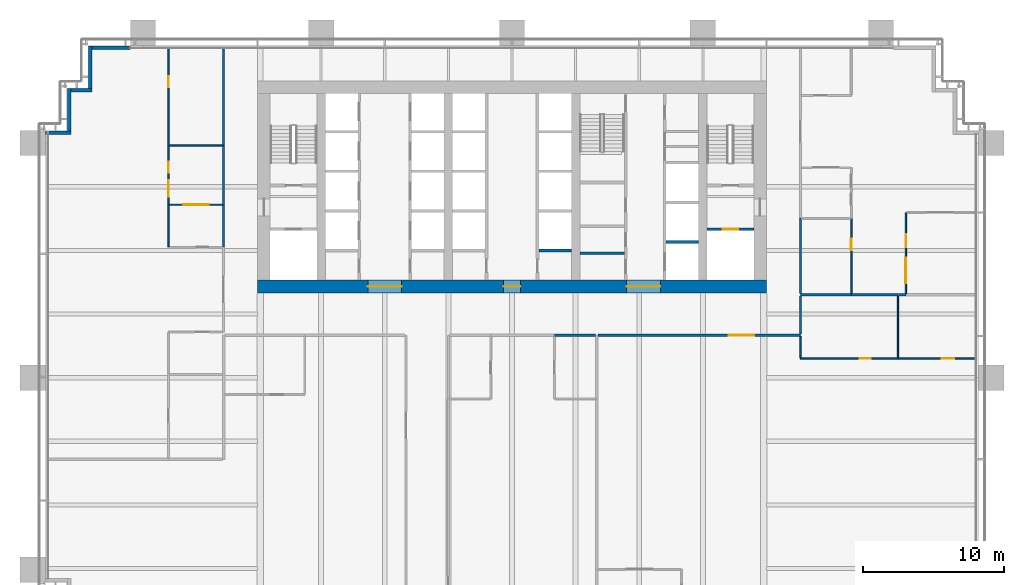
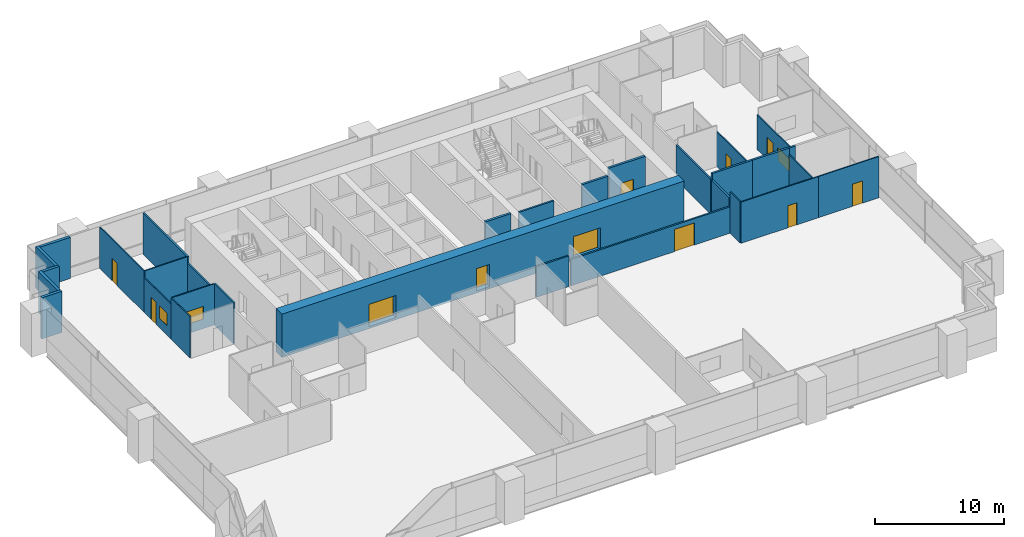
# One storey, part 12 of 19: 31 walls, 11 doors, 3 windows, 14 openings.
"""IFC4 building model written with IfcOpenShell, lengths in metres."""

from ifc_helpers import new_model, si_unit, direction, frame, frame_2d, origin, place, context, subcontext, project, spatial, rectangle, extrude, material, layer, layer_set, type_object, element, fill, save


model = new_model("IFC4")

# Units and contexts
model_context = context("Model", 3, precision=1e-05, world=origin(), true_north=direction((0.0, 1.0)))
body_context = subcontext(model_context, "Body", "Model", "MODEL_VIEW")
ifc_project = project(units=[si_unit("LENGTHUNIT", "METRE"), si_unit("AREAUNIT", "SQUARE_METRE"), si_unit("VOLUMEUNIT", "CUBIC_METRE"), si_unit("PLANEANGLEUNIT", "RADIAN"), si_unit("MASSUNIT", "GRAM", prefix="KILO")], contexts=[model_context])

# Site, building, storey
site_placement = place(None, origin())
site = spatial("IfcSite", under=ifc_project, at=site_placement, CompositionType="ELEMENT")
building_placement = place(site_placement, origin())
building = spatial("IfcBuilding", under=site, at=building_placement, Name="Rattan Terrace Tower", CompositionType="ELEMENT")
storey_placement = place(building_placement, frame((0.0, 0.0, 52.89990234375)))
storey = spatial("IfcBuildingStorey", under=building, at=storey_placement, Name="L11", CompositionType="ELEMENT", Elevation=52.89990234375)

# Wall
ifc_material_1 = material(Name="Gypsum board partition")
ifc_layer_1 = layer(ifc_material_1, 0.14990234375)
ifc_layer_set_1 = layer_set([ifc_layer_1], Name="Core partition 150")
wall_type_1 = type_object("IfcWallType", Name="Core partition 150", PredefinedType="PARTITIONING", material=ifc_layer_set_1)
wall_1_placement = place(storey_placement, frame((4.800048828125, -4.696044921875, 0.0), z_axis=(0.0, 0.0, 1.0), x_axis=(1.0, 0.0, 0.0)))
element("IfcWall", 1, at=wall_1_placement, inside=storey, type_object=wall_type_1, Name="Toilet wall", PredefinedType="PARTITIONING", context=body_context, shape_type="SweptSolid", body=[
    extrude(rectangle(XDim=3.14990234375, YDim=0.14990234375, at=frame_2d((1.574951171875, 0.0))), origin(), (0.0, 0.0, 1.0), 3.900146484375),
])

# Wall, opening, door
ifc_material_2 = material(Name="Gypsum board partition")
ifc_layer_2 = layer(ifc_material_2, 0.199951171875)
ifc_layer_set_2 = layer_set([ifc_layer_2], Name="Core partition 200")
wall_type_2 = type_object("IfcWallType", Name="Core partition 200", PredefinedType="PARTITIONING", material=ifc_layer_set_2)
wall_2_placement = place(storey_placement, frame((13.800048828125, -3.0, 0.0), z_axis=(0.0, 0.0, 1.0), x_axis=(1.0, 0.0, 0.0)))
wall_2 = element("IfcWall", 2, at=wall_2_placement, inside=storey, type_object=wall_type_2, Name="Fire-fighting lobby wall", PredefinedType="PARTITIONING", context=body_context, shape_type="SweptSolid", body=[
    extrude(rectangle(XDim=3.300048828125, YDim=0.199951171875, at=frame_2d((1.64990234375, 0.0))), origin(), (0.0, 0.0, 1.0), 3.900146484375),
])
opening_1_placement = place(wall_2_placement, frame((1.10009765625, 0.0, 0.0)))
opening_1 = element("IfcOpeningElement", 3, at=opening_1_placement, cuts=wall_2, Name="Opening L11-LD-FF2", PredefinedType="OPENING", context=body_context, shape_type="SweptSolid", body=[
    extrude(rectangle(XDim=1.10009765625, YDim=2.10009765625, at=frame_2d((0.550048828125, 1.050048828125))), frame((0.0, 0.110595703125, 0.0), z_axis=(0.0, -1.0, 0.0), x_axis=(1.0, 0.0, 0.0)), (0.0, 0.0, 1.0), 0.220947265625),
])
ifc_material_3 = material(Name="Brushed stainless landing door panel")
door_type_1 = type_object("IfcDoorType", Name="Core lift landing door 1100", OperationType="DOUBLE_DOOR_SLIDING", PredefinedType="DOOR", material=ifc_material_3)
door_1_placement = place(opening_1_placement, origin())
door_1 = element("IfcDoor", 4, at=door_1_placement, inside=storey, type_object=door_type_1, Name="Door L11-LD-FF2", OperationType="DOUBLE_DOOR_SLIDING", OverallHeight=2.10009765625, OverallWidth=1.10009765625, PredefinedType="DOOR", context=body_context, shape_type="SweptSolid", body=[
    extrude(rectangle(XDim=1.10009765625, YDim=2.10009765625, at=frame_2d((0.550048828125, 1.050048828125))), frame((0.0, 0.02490234375, 0.0), z_axis=(0.0, -1.0, 0.0), x_axis=(1.0, 0.0, 0.0)), (0.0, 0.0, 1.0), 0.050048828125),
])
fill(opening_1, door_1)

# Wall, openings, doors
ifc_material_4 = material(Name="Concrete C70/85", Category="concrete")
ifc_layer_3 = layer(ifc_material_4, 0.89990234375)
ifc_layer_set_3 = layer_set([ifc_layer_3], Name="Core ring wall 900 C70/85")
wall_type_3 = type_object("IfcWallType", Name="Core ring wall 900 C70/85", PredefinedType="SHEAR", material=ifc_layer_set_3)
wall_3_placement = place(storey_placement, frame((-18.0, -7.050048828125, -0.199951171875), z_axis=(0.0, 0.0, 1.0), x_axis=(1.0, 0.0, 0.0)))
wall_3 = element("IfcWall", 5, at=wall_3_placement, inside=storey, type_object=wall_type_3, Name="Rear core wall south", PredefinedType="SHEAR", context=body_context, shape_type="SweptSolid", body=[
    extrude(rectangle(XDim=36.0, YDim=0.89990234375, at=frame_2d((18.0, 0.0))), origin(), (0.0, 0.0, 1.0), 4.10009765625),
])
opening_2_placement = place(wall_3_placement, frame((7.800048828125, 0.0, 0.199951171875)))
opening_2 = element("IfcOpeningElement", 6, at=opening_2_placement, cuts=wall_3, Name="Opening L11-D007", PredefinedType="OPENING", context=body_context, shape_type="SweptSolid", body=[
    extrude(rectangle(XDim=2.39990234375, YDim=2.10009765625, at=frame_2d((1.199951171875, 1.050048828125))), frame((0.0, 0.46044921875, 0.0), z_axis=(0.0, -1.0, 0.0), x_axis=(1.0, 0.0, 0.0)), (0.0, 0.0, 1.0), 0.9208984375),
])
opening_3_placement = place(wall_3_placement, frame((17.39990234375, 0.0, 0.199951171875)))
opening_3 = element("IfcOpeningElement", 7, at=opening_3_placement, cuts=wall_3, Name="Opening L11-D010", PredefinedType="OPENING", context=body_context, shape_type="SweptSolid", body=[
    extrude(rectangle(XDim=1.199951171875, YDim=2.10009765625, at=frame_2d((0.60009765625, 1.050048828125))), frame((0.0, 0.46044921875, 0.0), z_axis=(0.0, -1.0, 0.0), x_axis=(1.0, 0.0, 0.0)), (0.0, 0.0, 1.0), 0.9208984375),
])
opening_4_placement = place(wall_3_placement, frame((26.10009765625, 0.0, 0.199951171875)))
opening_4 = element("IfcOpeningElement", 8, at=opening_4_placement, cuts=wall_3, Name="Opening L11-D015", PredefinedType="OPENING", context=body_context, shape_type="SweptSolid", body=[
    extrude(rectangle(XDim=2.39990234375, YDim=2.10009765625, at=frame_2d((1.199951171875, 1.050048828125))), frame((0.0, 0.46044921875, 0.0), z_axis=(0.0, -1.0, 0.0), x_axis=(1.0, 0.0, 0.0)), (0.0, 0.0, 1.0), 0.9208984375),
])
ifc_material_5 = material(Name="Hollow-metal fire door leaf")
door_type_2 = type_object("IfcDoorType", Name="Core lift lobby door 2400", OperationType="NOTDEFINED", PredefinedType="DOOR", material=ifc_material_5)
door_2_placement = place(opening_2_placement, origin())
door_2 = element("IfcDoor", 9, at=door_2_placement, inside=storey, type_object=door_type_2, Name="Door L11-D007", OperationType="DOUBLE_DOOR_DOUBLE_SWING", OverallHeight=2.10009765625, OverallWidth=2.39990234375, PredefinedType="DOOR", context=body_context, shape_type="SweptSolid", body=[
    extrude(rectangle(XDim=2.39990234375, YDim=2.10009765625, at=frame_2d((1.199951171875, 1.050048828125))), frame((0.0, 0.02490234375, 0.0), z_axis=(0.0, -1.0, 0.0), x_axis=(1.0, 0.0, 0.0)), (0.0, 0.0, 1.0), 0.050048828125),
])
fill(opening_2, door_2)
door_3_placement = place(opening_4_placement, origin())
door_3 = element("IfcDoor", 10, at=door_3_placement, inside=storey, type_object=door_type_2, Name="Door L11-D015", OperationType="DOUBLE_DOOR_DOUBLE_SWING", OverallHeight=2.10009765625, OverallWidth=2.39990234375, PredefinedType="DOOR", context=body_context, shape_type="SweptSolid", body=[
    extrude(rectangle(XDim=2.39990234375, YDim=2.10009765625, at=frame_2d((1.199951171875, 1.050048828125))), frame((0.0, 0.02490234375, 0.0), z_axis=(0.0, -1.0, 0.0), x_axis=(1.0, 0.0, 0.0)), (0.0, 0.0, 1.0), 0.050048828125),
])
fill(opening_4, door_3)
ifc_material_6 = material(Name="Hollow-metal fire door leaf")
door_type_3 = type_object("IfcDoorType", Name="Core riser door 1200", OperationType="NOTDEFINED", PredefinedType="DOOR", material=ifc_material_6)
door_4_placement = place(opening_3_placement, origin())
door_4 = element("IfcDoor", 11, at=door_4_placement, inside=storey, type_object=door_type_3, Name="Door L11-D010", OperationType="SINGLE_SWING_LEFT", OverallHeight=2.10009765625, OverallWidth=1.199951171875, PredefinedType="DOOR", context=body_context, shape_type="SweptSolid", body=[
    extrude(rectangle(XDim=1.199951171875, YDim=2.10009765625, at=frame_2d((0.60009765625, 1.050048828125))), frame((0.0, 0.02490234375, 0.0), z_axis=(0.0, -1.0, 0.0), x_axis=(1.0, 0.0, 0.0)), (0.0, 0.0, 1.0), 0.050048828125),
])
fill(opening_3, door_4)

# Walls
ifc_material_7 = material(Name="Insulated aluminium-clad stud wall", Category="aluminium")
ifc_layer_4 = layer(ifc_material_7, 0.25)
ifc_layer_set_4 = layer_set([ifc_layer_4], Name="Facade Riser Wall 250")
wall_type_4 = type_object("IfcWallType", Name="Facade Riser Wall 250", PredefinedType="SOLIDWALL", material=ifc_layer_set_4)
wall_4_placement = place(storey_placement, frame((-27.0, 9.830078125, 0.0), z_axis=(0.0, 0.0, 1.0), x_axis=(-1.0, 0.0, 0.0)))
element("IfcWall", 12, at=wall_4_placement, inside=storey, type_object=wall_type_4, Name="Riser wall L11-11", PredefinedType="SOLIDWALL", context=body_context, shape_type="SweptSolid", body=[
    extrude(rectangle(XDim=2.705078125, YDim=0.25, at=frame_2d((1.3525390625, 0.0))), origin(), (0.0, 0.0, 1.0), 3.900146484375),
])
wall_5_placement = place(storey_placement, frame((-29.830078125, 9.955078125, 0.0), z_axis=(0.0, 0.0, 1.0), x_axis=(0.0, -1.0, 0.0)))
element("IfcWall", 13, at=wall_5_placement, inside=storey, type_object=wall_type_4, Name="Riser wall L11-12", PredefinedType="SOLIDWALL", context=body_context, shape_type="SweptSolid", body=[
    extrude(rectangle(XDim=3.0, YDim=0.25, at=frame_2d((1.5, 0.0))), origin(), (0.0, 0.0, 1.0), 3.900146484375),
])
wall_6_placement = place(storey_placement, frame((-29.705078125, 6.830078125, 0.0), z_axis=(0.0, 0.0, 1.0), x_axis=(-1.0, 0.0, 0.0)))
element("IfcWall", 14, at=wall_6_placement, inside=storey, type_object=wall_type_4, Name="Riser wall L11-13", PredefinedType="SOLIDWALL", context=body_context, shape_type="SweptSolid", body=[
    extrude(rectangle(XDim=1.5, YDim=0.25, at=frame_2d((0.75, 0.0))), origin(), (0.0, 0.0, 1.0), 3.900146484375),
])
wall_7_placement = place(storey_placement, frame((-31.330078125, 6.955078125, 0.0), z_axis=(0.0, 0.0, 1.0), x_axis=(0.0, -1.0, 0.0)))
element("IfcWall", 15, at=wall_7_placement, inside=storey, type_object=wall_type_4, Name="Riser wall L11-14", PredefinedType="SOLIDWALL", context=body_context, shape_type="SweptSolid", body=[
    extrude(rectangle(XDim=3.0, YDim=0.25, at=frame_2d((1.5, 0.0))), origin(), (0.0, 0.0, 1.0), 3.900146484375),
])
wall_8_placement = place(storey_placement, frame((-31.205078125, 3.830078125, 0.0), z_axis=(0.0, 0.0, 1.0), x_axis=(-1.0, 0.0, 0.0)))
element("IfcWall", 16, at=wall_8_placement, inside=storey, type_object=wall_type_4, Name="Riser wall L11-15", PredefinedType="SOLIDWALL", context=body_context, shape_type="SweptSolid", body=[
    extrude(rectangle(XDim=1.7998046875, YDim=0.25, at=frame_2d((0.89990234375, 0.0))), origin(), (0.0, 0.0, 1.0), 3.900146484375),
])
ifc_material_8 = material(Name="Double steel stud acoustic partition, gypsum board, mineral wool, fire rated", Category="steel")
ifc_layer_5 = layer(ifc_material_8, 0.179931640625)
ifc_layer_set_5 = layer_set([ifc_layer_5], Name="Floors Acoustic Party Wall 180")
wall_type_5 = type_object("IfcWallType", Name="Floors Acoustic Party Wall 180", PredefinedType="PARTITIONING", material=ifc_layer_set_5)
wall_9_placement = place(storey_placement, frame((27.320068359375, -7.635986328125, 0.0), z_axis=(0.0, 0.0, 1.0), x_axis=(-1.0, 0.0, 0.0)))
element("IfcWall", 17, at=wall_9_placement, inside=storey, type_object=wall_type_5, Name="pt-L11-041", PredefinedType="PARTITIONING", context=body_context, shape_type="SweptSolid", body=[
    extrude(rectangle(XDim=3.320068359375, YDim=0.179931640625, at=frame_2d((1.66015625, 0.0))), origin(), (0.0, 0.0, 1.0), 3.900146484375),
])
wall_10_placement = place(storey_placement, frame((27.860107421875, -7.635986328125, 0.0), z_axis=(0.0, 0.0, 1.0), x_axis=(-1.0, 0.0, 0.0)))
element("IfcWall", 18, at=wall_10_placement, inside=storey, type_object=wall_type_5, Name="pt-L11-042", PredefinedType="PARTITIONING", context=body_context, shape_type="SweptSolid", body=[
    extrude(rectangle(XDim=0.5400390625, YDim=0.179931640625, at=frame_2d((0.27001953125, 0.0))), origin(), (0.0, 0.0, 1.0), 3.900146484375),
])
wall_11_placement = place(storey_placement, frame((24.0, -7.635986328125, 0.0), z_axis=(0.0, 0.0, 1.0), x_axis=(-1.0, 0.0, 0.0)))
element("IfcWall", 19, at=wall_11_placement, inside=storey, type_object=wall_type_5, Name="pt-L11-045", PredefinedType="PARTITIONING", context=body_context, shape_type="SweptSolid", body=[
    extrude(rectangle(XDim=3.60009765625, YDim=0.179931640625, at=frame_2d((1.800048828125, 0.0))), origin(), (0.0, 0.0, 1.0), 3.900146484375),
])
ifc_material_9 = material(Name="Gypsum board partition on steel studs", Category="steel")
ifc_layer_6 = layer(ifc_material_9, 0.10009765625)
ifc_layer_set_6 = layer_set([ifc_layer_6], Name="Floors Partition 100")
wall_type_6 = type_object("IfcWallType", Name="Floors Partition 100", PredefinedType="PARTITIONING", material=ifc_layer_set_6)
wall_12_placement = place(storey_placement, frame((-24.300048828125, -1.29296875, 0.0), z_axis=(0.0, 0.0, 1.0), x_axis=(0.0, -1.0, 0.0)))
element("IfcWall", 20, at=wall_12_placement, inside=storey, type_object=wall_type_6, Name="pt-L11-022", PredefinedType="PARTITIONING", context=body_context, shape_type="SweptSolid", body=[
    extrude(rectangle(XDim=2.929931640625, YDim=0.10009765625, at=frame_2d((1.46484375, 0.0))), origin(), (0.0, 0.0, 1.0), 3.900146484375),
])

# Wall, openings, door, window
wall_13_placement = place(storey_placement, frame((-24.300048828125, 2.906982421875, 0.0), z_axis=(0.0, 0.0, 1.0), x_axis=(0.0, -1.0, 0.0)))
wall_13 = element("IfcWall", 21, at=wall_13_placement, inside=storey, type_object=wall_type_6, Name="pt-L11-024", PredefinedType="PARTITIONING", context=body_context, shape_type="SweptSolid", body=[
    extrude(rectangle(XDim=4.199951171875, YDim=0.10009765625, at=frame_2d((2.10009765625, 0.0))), origin(), (0.0, 0.0, 1.0), 3.300048828125),
])
opening_5_placement = place(wall_13_placement, frame((1.1201171875, 0.0, 0.0)))
opening_5 = element("IfcOpeningElement", 22, at=opening_5_placement, cuts=wall_13, Name="Opening L11-D104", PredefinedType="OPENING", context=body_context, shape_type="SweptSolid", body=[
    extrude(rectangle(XDim=0.800048828125, YDim=2.10009765625, at=frame_2d((0.39990234375, 1.050048828125))), frame((0.0, 0.060546875, 0.0), z_axis=(0.0, -1.0, 0.0), x_axis=(1.0, 0.0, 0.0)), (0.0, 0.0, 1.0), 0.12109375),
])
opening_6_placement = place(wall_13_placement, frame((2.425048828125, 0.0, 0.89990234375)))
opening_6 = element("IfcOpeningElement", 23, at=opening_6_placement, cuts=wall_13, Name="Opening L11-W100", PredefinedType="OPENING", context=body_context, shape_type="SweptSolid", body=[
    extrude(rectangle(XDim=1.199951171875, YDim=1.199951171875, at=frame_2d((0.60009765625, 0.60009765625))), frame((0.0, 0.060546875, 0.0), z_axis=(0.0, -1.0, 0.0), x_axis=(1.0, 0.0, 0.0)), (0.0, 0.0, 1.0), 0.12109375),
])
ifc_material_10 = material(Name="Solid core timber door, painted", Category="wood")
door_type_4 = type_object("IfcDoorType", Name="Floors Store Door 800x2100", OperationType="NOTDEFINED", PredefinedType="DOOR", material=ifc_material_10)
door_5_placement = place(opening_5_placement, origin())
door_5 = element("IfcDoor", 24, at=door_5_placement, inside=storey, type_object=door_type_4, Name="d-L11-104", OperationType="SINGLE_SWING_LEFT", OverallHeight=2.10009765625, OverallWidth=0.800048828125, PredefinedType="DOOR", context=body_context, shape_type="SweptSolid", body=[
    extrude(rectangle(XDim=0.800048828125, YDim=2.10009765625, at=frame_2d((0.39990234375, 1.050048828125))), frame((0.0, 0.02490234375, 0.0), z_axis=(0.0, -1.0, 0.0), x_axis=(1.0, 0.0, 0.0)), (0.0, 0.0, 1.0), 0.050048828125),
])
fill(opening_5, door_5)
ifc_material_11 = material(Name="Glass, clear, fixed in aluminium frame", Category="aluminium")
window_type_1 = type_object("IfcWindowType", Name="Interior Vision Window 1200x1200", PartitioningType="SINGLE_PANEL", PredefinedType="WINDOW", material=ifc_material_11)
window_1_placement = place(opening_6_placement, origin())
window_1 = element("IfcWindow", 25, at=window_1_placement, inside=storey, type_object=window_type_1, Name="w-L11-100", OverallHeight=1.199951171875, OverallWidth=1.199951171875, PartitioningType="SINGLE_PANEL", PredefinedType="WINDOW", context=body_context, shape_type="SweptSolid", body=[
    extrude(rectangle(XDim=1.199951171875, YDim=1.199951171875, at=frame_2d((0.60009765625, 0.60009765625))), frame((0.0, 0.030029296875, 0.0), z_axis=(0.0, -1.0, 0.0), x_axis=(1.0, 0.0, 0.0)), (0.0, 0.0, 1.0), 0.06005859375),
])
fill(opening_6, window_1)

# Wall, opening, door
wall_14_placement = place(storey_placement, frame((-24.300048828125, 9.739990234375, 0.0), z_axis=(0.0, 0.0, 1.0), x_axis=(0.0, -1.0, 0.0)))
wall_14 = element("IfcWall", 26, at=wall_14_placement, inside=storey, type_object=wall_type_6, Name="pt-L11-025", PredefinedType="PARTITIONING", context=body_context, shape_type="SweptSolid", body=[
    extrude(rectangle(XDim=6.8330078125, YDim=0.10009765625, at=frame_2d((3.41650390625, 0.0))), origin(), (0.0, 0.0, 1.0), 3.900146484375),
])
opening_7_placement = place(wall_14_placement, frame((1.909912109375, 0.0, 0.0)))
opening_7 = element("IfcOpeningElement", 27, at=opening_7_placement, cuts=wall_14, Name="Opening L11-D105", PredefinedType="OPENING", context=body_context, shape_type="SweptSolid", body=[
    extrude(rectangle(XDim=0.800048828125, YDim=2.10009765625, at=frame_2d((0.39990234375, 1.050048828125))), frame((0.0, 0.060546875, 0.0), z_axis=(0.0, -1.0, 0.0), x_axis=(1.0, 0.0, 0.0)), (0.0, 0.0, 1.0), 0.12109375),
])
door_6_placement = place(opening_7_placement, origin())
door_6 = element("IfcDoor", 28, at=door_6_placement, inside=storey, type_object=door_type_4, Name="d-L11-105", OperationType="SINGLE_SWING_LEFT", OverallHeight=2.10009765625, OverallWidth=0.800048828125, PredefinedType="DOOR", context=body_context, shape_type="SweptSolid", body=[
    extrude(rectangle(XDim=0.800048828125, YDim=2.10009765625, at=frame_2d((0.39990234375, 1.050048828125))), frame((0.0, 0.02490234375, 0.0), z_axis=(0.0, -1.0, 0.0), x_axis=(1.0, 0.0, 0.0)), (0.0, 0.0, 1.0), 0.050048828125),
])
fill(opening_7, door_6)

# Wall, opening, window
wall_15_placement = place(storey_placement, frame((-24.25, -1.27294921875, 0.0), z_axis=(0.0, 0.0, 1.0), x_axis=(1.0, 0.0, 0.0)))
wall_15 = element("IfcWall", 29, at=wall_15_placement, inside=storey, type_object=wall_type_6, Name="pt-L11-032", PredefinedType="PARTITIONING", context=body_context, shape_type="SweptSolid", body=[
    extrude(rectangle(XDim=3.77490234375, YDim=0.10009765625, at=frame_2d((1.887451171875, 0.0))), origin(), (0.0, 0.0, 1.0), 3.900146484375),
])
opening_8_placement = place(wall_15_placement, frame((0.987060546875, 0.0, 0.89990234375)))
opening_8 = element("IfcOpeningElement", 30, at=opening_8_placement, cuts=wall_15, Name="Opening L11-W101", PredefinedType="OPENING", context=body_context, shape_type="SweptSolid", body=[
    extrude(rectangle(XDim=1.800048828125, YDim=1.199951171875, at=frame_2d((0.89990234375, 0.60009765625))), frame((0.0, 0.060546875, 0.0), z_axis=(0.0, -1.0, 0.0), x_axis=(1.0, 0.0, 0.0)), (0.0, 0.0, 1.0), 0.12109375),
])
ifc_material_12 = material(Name="Glass, clear, fixed in aluminium frame", Category="aluminium")
window_type_2 = type_object("IfcWindowType", Name="Interior Vision Window 1800x1200", PartitioningType="SINGLE_PANEL", PredefinedType="WINDOW", material=ifc_material_12)
window_2_placement = place(opening_8_placement, origin())
window_2 = element("IfcWindow", 31, at=window_2_placement, inside=storey, type_object=window_type_2, Name="w-L11-101", OverallHeight=1.199951171875, OverallWidth=1.800048828125, PartitioningType="SINGLE_PANEL", PredefinedType="WINDOW", context=body_context, shape_type="SweptSolid", body=[
    extrude(rectangle(XDim=1.800048828125, YDim=1.199951171875, at=frame_2d((0.89990234375, 0.60009765625))), frame((0.0, 0.030029296875, 0.0), z_axis=(0.0, -1.0, 0.0), x_axis=(1.0, 0.0, 0.0)), (0.0, 0.0, 1.0), 0.06005859375),
])
fill(opening_8, window_2)

# Wall
wall_16_placement = place(storey_placement, frame((-24.25, 2.927001953125, 0.0), z_axis=(0.0, 0.0, 1.0), x_axis=(1.0, 0.0, 0.0)))
element("IfcWall", 32, at=wall_16_placement, inside=storey, type_object=wall_type_6, Name="pt-L11-033", PredefinedType="PARTITIONING", context=body_context, shape_type="SweptSolid", body=[
    extrude(rectangle(XDim=3.77490234375, YDim=0.10009765625, at=frame_2d((1.887451171875, 0.0))), origin(), (0.0, 0.0, 1.0), 3.900146484375),
])

# Wall, openings, door, window
wall_17_placement = place(storey_placement, frame((27.860107421875, -1.818115234375, 0.0), z_axis=(0.0, 0.0, 1.0), x_axis=(0.0, -1.0, 0.0)))
wall_17 = element("IfcWall", 33, at=wall_17_placement, inside=storey, type_object=wall_type_6, Name="pt-L11-034", PredefinedType="PARTITIONING", context=body_context, shape_type="SweptSolid", body=[
    extrude(rectangle(XDim=5.727783203125, YDim=0.10009765625, at=frame_2d((2.86376953125, 0.0))), origin(), (0.0, 0.0, 1.0), 3.300048828125),
])
opening_9_placement = place(wall_17_placement, frame((1.548095703125, 0.0, 0.0)))
opening_9 = element("IfcOpeningElement", 34, at=opening_9_placement, cuts=wall_17, Name="Opening L11-D107", PredefinedType="OPENING", context=body_context, shape_type="SweptSolid", body=[
    extrude(rectangle(XDim=0.89990234375, YDim=2.10009765625, at=frame_2d((0.449951171875, 1.050048828125))), frame((0.0, 0.060546875, 0.0), z_axis=(0.0, -1.0, 0.0), x_axis=(1.0, 0.0, 0.0)), (0.0, 0.0, 1.0), 0.12109375),
])
opening_10_placement = place(wall_17_placement, frame((3.18798828125, 0.0, 0.89990234375)))
opening_10 = element("IfcOpeningElement", 35, at=opening_10_placement, cuts=wall_17, Name="Opening L11-W102", PredefinedType="OPENING", context=body_context, shape_type="SweptSolid", body=[
    extrude(rectangle(XDim=1.800048828125, YDim=1.199951171875, at=frame_2d((0.89990234375, 0.60009765625))), frame((0.0, 0.060546875, 0.0), z_axis=(0.0, -1.0, 0.0), x_axis=(1.0, 0.0, 0.0)), (0.0, 0.0, 1.0), 0.12109375),
])
ifc_material_13 = material(Name="Solid core timber door, painted", Category="wood")
door_type_5 = type_object("IfcDoorType", Name="Floors Door 900x2100", OperationType="NOTDEFINED", PredefinedType="DOOR", material=ifc_material_13)
door_7_placement = place(opening_9_placement, origin())
door_7 = element("IfcDoor", 36, at=door_7_placement, inside=storey, type_object=door_type_5, Name="d-L11-107", OperationType="SINGLE_SWING_LEFT", OverallHeight=2.10009765625, OverallWidth=0.89990234375, PredefinedType="DOOR", context=body_context, shape_type="SweptSolid", body=[
    extrude(rectangle(XDim=0.89990234375, YDim=2.10009765625, at=frame_2d((0.449951171875, 1.050048828125))), frame((0.0, 0.02490234375, 0.0), z_axis=(0.0, -1.0, 0.0), x_axis=(1.0, 0.0, 0.0)), (0.0, 0.0, 1.0), 0.050048828125),
])
fill(opening_9, door_7)
window_3_placement = place(opening_10_placement, origin())
window_3 = element("IfcWindow", 37, at=window_3_placement, inside=storey, type_object=window_type_2, Name="w-L11-102", OverallHeight=1.199951171875, OverallWidth=1.800048828125, PartitioningType="SINGLE_PANEL", PredefinedType="WINDOW", context=body_context, shape_type="SweptSolid", body=[
    extrude(rectangle(XDim=1.800048828125, YDim=1.199951171875, at=frame_2d((0.89990234375, 0.60009765625))), frame((0.0, 0.030029296875, 0.0), z_axis=(0.0, -1.0, 0.0), x_axis=(1.0, 0.0, 0.0)), (0.0, 0.0, 1.0), 0.06005859375),
])
fill(opening_10, window_3)

# Wall, opening, door
wall_18_placement = place(storey_placement, frame((24.0, -7.5458984375, 0.0), z_axis=(0.0, 0.0, 1.0), x_axis=(0.0, 1.0, 0.0)))
wall_18 = element("IfcWall", 38, at=wall_18_placement, inside=storey, type_object=wall_type_6, Name="pt-L11-036", PredefinedType="PARTITIONING", context=body_context, shape_type="SweptSolid", body=[
    extrude(rectangle(XDim=5.329833984375, YDim=0.10009765625, at=frame_2d((2.6650390625, 0.0))), origin(), (0.0, 0.0, 1.0), 3.300048828125),
])
opening_11_placement = place(wall_18_placement, frame((3.071044921875, 0.0, 0.0)))
opening_11 = element("IfcOpeningElement", 39, at=opening_11_placement, cuts=wall_18, Name="Opening L11-D108", PredefinedType="OPENING", context=body_context, shape_type="SweptSolid", body=[
    extrude(rectangle(XDim=0.800048828125, YDim=2.10009765625, at=frame_2d((0.39990234375, 1.050048828125))), frame((0.0, 0.060546875, 0.0), z_axis=(0.0, -1.0, 0.0), x_axis=(1.0, 0.0, 0.0)), (0.0, 0.0, 1.0), 0.12109375),
])
door_8_placement = place(opening_11_placement, origin())
door_8 = element("IfcDoor", 40, at=door_8_placement, inside=storey, type_object=door_type_4, Name="d-L11-108", OperationType="SINGLE_SWING_RIGHT", OverallHeight=2.10009765625, OverallWidth=0.800048828125, PredefinedType="DOOR", context=body_context, shape_type="SweptSolid", body=[
    extrude(rectangle(XDim=0.800048828125, YDim=2.10009765625, at=frame_2d((0.39990234375, 1.050048828125))), frame((0.0, 0.02490234375, 0.0), z_axis=(0.0, -1.0, 0.0), x_axis=(1.0, 0.0, 0.0)), (0.0, 0.0, 1.0), 0.050048828125),
])
fill(opening_11, door_8)

wall_19_placement = place(storey_placement, frame((20.39990234375, -12.135986328125, 0.0), z_axis=(0.0, 0.0, 1.0), x_axis=(1.0, 0.0, 0.0)))
wall_19 = element("IfcWall", 41, at=wall_19_placement, inside=storey, type_object=wall_type_6, Name="pt-L11-057", PredefinedType="PARTITIONING", context=body_context, shape_type="SweptSolid", body=[
    extrude(rectangle(XDim=6.920166015625, YDim=0.10009765625, at=frame_2d((3.4599609375, 0.0))), origin(), (0.0, 0.0, 1.0), 3.900146484375),
])
opening_12_placement = place(wall_19_placement, frame((4.18408203125, 0.0, 0.0)))
opening_12 = element("IfcOpeningElement", 42, at=opening_12_placement, cuts=wall_19, Name="Opening L11-D118", PredefinedType="OPENING", context=body_context, shape_type="SweptSolid", body=[
    extrude(rectangle(XDim=0.800048828125, YDim=2.10009765625, at=frame_2d((0.39990234375, 1.050048828125))), frame((0.0, 0.060546875, 0.0), z_axis=(0.0, -1.0, 0.0), x_axis=(1.0, 0.0, 0.0)), (0.0, 0.0, 1.0), 0.12109375),
])
door_9_placement = place(opening_12_placement, origin())
door_9 = element("IfcDoor", 43, at=door_9_placement, inside=storey, type_object=door_type_4, Name="d-L11-118", OperationType="SINGLE_SWING_RIGHT", OverallHeight=2.10009765625, OverallWidth=0.800048828125, PredefinedType="DOOR", context=body_context, shape_type="SweptSolid", body=[
    extrude(rectangle(XDim=0.800048828125, YDim=2.10009765625, at=frame_2d((0.39990234375, 1.050048828125))), frame((0.0, 0.02490234375, 0.0), z_axis=(0.0, -1.0, 0.0), x_axis=(1.0, 0.0, 0.0)), (0.0, 0.0, 1.0), 0.050048828125),
])
fill(opening_12, door_9)

# Wall
wall_20_placement = place(storey_placement, frame((20.39990234375, -10.574951171875, 0.0), z_axis=(0.0, 0.0, 1.0), x_axis=(0.0, -1.0, 0.0)))
element("IfcWall", 44, at=wall_20_placement, inside=storey, type_object=wall_type_6, Name="pt-L11-058", PredefinedType="PARTITIONING", context=body_context, shape_type="SweptSolid", body=[
    extrude(rectangle(XDim=1.510986328125, YDim=0.10009765625, at=frame_2d((0.75537109375, 0.0))), origin(), (0.0, 0.0, 1.0), 3.900146484375),
])

# Wall, opening, door
wall_21_placement = place(storey_placement, frame((27.320068359375, -12.135986328125, 0.0), z_axis=(0.0, 0.0, 1.0), x_axis=(1.0, 0.0, 0.0)))
wall_21 = element("IfcWall", 45, at=wall_21_placement, inside=storey, type_object=wall_type_6, Name="pt-L11-059", PredefinedType="PARTITIONING", context=body_context, shape_type="SweptSolid", body=[
    extrude(rectangle(XDim=5.419921875, YDim=0.10009765625, at=frame_2d((2.7099609375, 0.0))), origin(), (0.0, 0.0, 1.0), 3.900146484375),
])
opening_13_placement = place(wall_21_placement, frame((3.06396484375, 0.0, 0.0)))
opening_13 = element("IfcOpeningElement", 46, at=opening_13_placement, cuts=wall_21, Name="Opening L11-D119", PredefinedType="OPENING", context=body_context, shape_type="SweptSolid", body=[
    extrude(rectangle(XDim=0.89990234375, YDim=2.10009765625, at=frame_2d((0.449951171875, 1.050048828125))), frame((0.0, 0.060546875, 0.0), z_axis=(0.0, -1.0, 0.0), x_axis=(1.0, 0.0, 0.0)), (0.0, 0.0, 1.0), 0.12109375),
])
door_10_placement = place(opening_13_placement, origin())
door_10 = element("IfcDoor", 47, at=door_10_placement, inside=storey, type_object=door_type_5, Name="d-L11-119", OperationType="SINGLE_SWING_RIGHT", OverallHeight=2.10009765625, OverallWidth=0.89990234375, PredefinedType="DOOR", context=body_context, shape_type="SweptSolid", body=[
    extrude(rectangle(XDim=0.89990234375, YDim=2.10009765625, at=frame_2d((0.449951171875, 1.050048828125))), frame((0.0, 0.02490234375, 0.0), z_axis=(0.0, -1.0, 0.0), x_axis=(1.0, 0.0, 0.0)), (0.0, 0.0, 1.0), 0.050048828125),
])
fill(opening_13, door_10)

# Walls
wall_22_placement = place(storey_placement, frame((27.300048828125, -7.72607421875, 0.0), z_axis=(0.0, 0.0, 1.0), x_axis=(0.0, -1.0, 0.0)))
element("IfcWall", 48, at=wall_22_placement, inside=storey, type_object=wall_type_6, Name="pt-L11-060", PredefinedType="PARTITIONING", context=body_context, shape_type="SweptSolid", body=[
    extrude(rectangle(XDim=4.35986328125, YDim=0.10009765625, at=frame_2d((2.179931640625, 0.0))), origin(), (0.0, 0.0, 1.0), 3.300048828125),
])
ifc_material_14 = material(Name="Gypsum board partition on steel studs, fire rated", Category="steel")
ifc_layer_7 = layer(ifc_material_14, 0.14990234375)
ifc_layer_set_7 = layer_set([ifc_layer_7], Name="Floors Tenancy Wall 150")
wall_type_7 = type_object("IfcWallType", Name="Floors Tenancy Wall 150", PredefinedType="PARTITIONING", material=ifc_layer_set_7)
wall_23_placement = place(storey_placement, frame((-20.39990234375, -4.2529296875, 0.0), z_axis=(0.0, 0.0, 1.0), x_axis=(0.0, 1.0, 0.0)))
element("IfcWall", 49, at=wall_23_placement, inside=storey, type_object=wall_type_7, Name="pt-L11-002", PredefinedType="PARTITIONING", context=body_context, shape_type="SweptSolid", body=[
    extrude(rectangle(XDim=2.9599609375, YDim=0.14990234375, at=frame_2d((1.47998046875, 0.0))), origin(), (0.0, 0.0, 1.0), 3.900146484375),
])
wall_24_placement = place(storey_placement, frame((-20.39990234375, -1.29296875, 0.0), z_axis=(0.0, 0.0, 1.0), x_axis=(0.0, 1.0, 0.0)))
element("IfcWall", 50, at=wall_24_placement, inside=storey, type_object=wall_type_7, Name="pt-L11-003", PredefinedType="PARTITIONING", context=body_context, shape_type="SweptSolid", body=[
    extrude(rectangle(XDim=4.199951171875, YDim=0.14990234375, at=frame_2d((2.10009765625, 0.0))), origin(), (0.0, 0.0, 1.0), 3.300048828125),
])
wall_25_placement = place(storey_placement, frame((-20.39990234375, 2.906982421875, 0.0), z_axis=(0.0, 0.0, 1.0), x_axis=(0.0, 1.0, 0.0)))
element("IfcWall", 51, at=wall_25_placement, inside=storey, type_object=wall_type_7, Name="pt-L11-004", PredefinedType="PARTITIONING", context=body_context, shape_type="SweptSolid", body=[
    extrude(rectangle(XDim=6.8330078125, YDim=0.14990234375, at=frame_2d((3.41650390625, 0.0))), origin(), (0.0, 0.0, 1.0), 3.900146484375),
])
wall_26_placement = place(storey_placement, frame((20.39990234375, -2.216064453125, 0.0), z_axis=(0.0, 0.0, 1.0), x_axis=(0.0, -1.0, 0.0)))
element("IfcWall", 52, at=wall_26_placement, inside=storey, type_object=wall_type_7, Name="pt-L11-006", PredefinedType="PARTITIONING", context=body_context, shape_type="SweptSolid", body=[
    extrude(rectangle(XDim=5.329833984375, YDim=0.14990234375, at=frame_2d((2.6650390625, 0.0))), origin(), (0.0, 0.0, 1.0), 3.300048828125),
])
wall_27_placement = place(storey_placement, frame((5.909912109375, -10.5, 0.0), z_axis=(0.0, 0.0, 1.0), x_axis=(-1.0, 0.0, 0.0)))
element("IfcWall", 53, at=wall_27_placement, inside=storey, type_object=wall_type_7, Name="pt-L11-016", PredefinedType="PARTITIONING", context=body_context, shape_type="SweptSolid", body=[
    extrude(rectangle(XDim=2.889892578125, YDim=0.14990234375, at=frame_2d((1.44482421875, 0.0))), origin(), (0.0, 0.0, 1.0), 2.900146484375),
])

# Wall, opening, door
wall_28_placement = place(storey_placement, frame((20.39990234375, -10.5, 0.0), z_axis=(0.0, 0.0, 1.0), x_axis=(-1.0, 0.0, 0.0)))
wall_28 = element("IfcWall", 54, at=wall_28_placement, inside=storey, type_object=wall_type_7, Name="pt-L11-017", PredefinedType="PARTITIONING", context=body_context, shape_type="SweptSolid", body=[
    extrude(rectangle(XDim=14.309814453125, YDim=0.14990234375, at=frame_2d((7.15478515625, 0.0))), origin(), (0.0, 0.0, 1.0), 2.5),
])
opening_14_placement = place(wall_28_placement, frame((3.251953125, 0.0, 0.0)))
opening_14 = element("IfcOpeningElement", 55, at=opening_14_placement, cuts=wall_28, Name="Opening L11-D116", PredefinedType="OPENING", context=body_context, shape_type="SweptSolid", body=[
    extrude(rectangle(XDim=1.800048828125, YDim=2.10009765625, at=frame_2d((0.89990234375, 1.050048828125))), frame((0.0, 0.08544921875, 0.0), z_axis=(0.0, -1.0, 0.0), x_axis=(1.0, 0.0, 0.0)), (0.0, 0.0, 1.0), 0.1708984375),
])
ifc_material_15 = material(Name="Steel fire door set", Category="steel")
door_type_6 = type_object("IfcDoorType", Name="Floors Fire Door Pair FD30S 1800x2100", OperationType="NOTDEFINED", PredefinedType="DOOR", material=ifc_material_15)
door_11_placement = place(opening_14_placement, origin())
door_11 = element("IfcDoor", 56, at=door_11_placement, inside=storey, type_object=door_type_6, Name="d-L11-116", OperationType="DOUBLE_DOOR_SINGLE_SWING", OverallHeight=2.10009765625, OverallWidth=1.800048828125, PredefinedType="DOOR", context=body_context, shape_type="SweptSolid", body=[
    extrude(rectangle(XDim=1.800048828125, YDim=2.10009765625, at=frame_2d((0.89990234375, 1.050048828125))), frame((0.0, 0.02490234375, 0.0), z_axis=(0.0, -1.0, 0.0), x_axis=(1.0, 0.0, 0.0)), (0.0, 0.0, 1.0), 0.050048828125),
])
fill(opening_14, door_11)

# Walls
wall_29_placement = place(storey_placement, frame((20.39990234375, -7.72607421875, 0.0), z_axis=(0.0, 0.0, 1.0), x_axis=(0.0, -1.0, 0.0)))
element("IfcWall", 57, at=wall_29_placement, inside=storey, type_object=wall_type_7, Name="pt-L11-018", PredefinedType="PARTITIONING", context=body_context, shape_type="SweptSolid", body=[
    extrude(rectangle(XDim=2.698974609375, YDim=0.14990234375, at=frame_2d((1.349609375, 0.0))), origin(), (0.0, 0.0, 1.0), 3.300048828125),
])
ifc_material_16 = material(Name="Gypsum shaft wall system")
ifc_layer_8 = layer(ifc_material_16, 0.199951171875)
ifc_layer_set_8 = layer_set([ifc_layer_8], Name="Lift shaft wall 200")
wall_type_8 = type_object("IfcWallType", Name="Lift shaft wall 200", PredefinedType="PARTITIONING", material=ifc_layer_set_8)
for number, where, z_axis, x_axis, name in (
    (58, (1.89990234375, -4.5, 0.0), (0.0, 0.0, 1.0), (1.0, 0.0, 0.0), "Lift shaft wall"),
    (59, (10.89990234375, -3.89990234375, 0.0), (0.0, 0.0, 1.0), (1.0, 0.0, 0.0), "Lift shaft wall"),
):
    element("IfcWall", number, at=place(storey_placement, frame(where, z_axis=z_axis, x_axis=x_axis)), inside=storey, type_object=wall_type_8, Name=name, PredefinedType="PARTITIONING", context=body_context, shape_type="SweptSolid", body=[
        extrude(rectangle(XDim=2.300048828125, YDim=0.199951171875, at=frame_2d((1.14990234375, 0.0))), origin(), (0.0, 0.0, 1.0), 3.900146484375),
    ])

save(model, "model.ifc")
